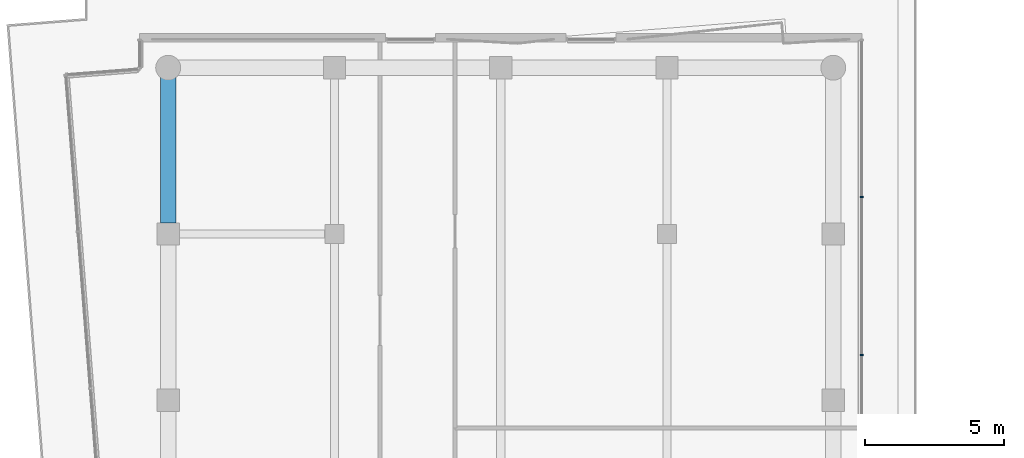
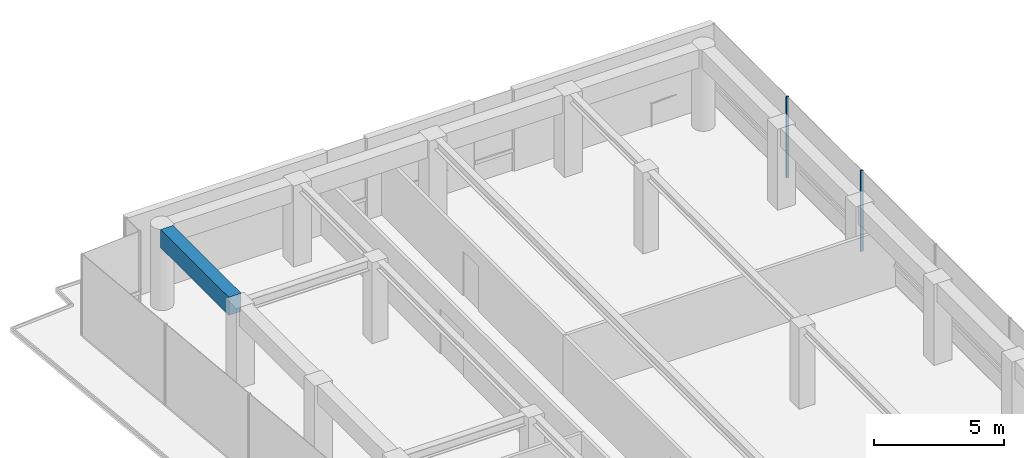
# One storey, part 16 of 23: 2 members, 1 beam, 1 element without a shape of its own.
"""IFC4 building model written with IfcOpenShell, lengths in metres."""

from ifc_helpers import new_model, si_unit, direction, frame, origin, origin_2d, place, context, subcontext, project, spatial, rectangle, extrude, material, layer, layer_set, material_profile, profile_set, type_object, element, aggregate, save


model = new_model("IFC4")

# Units and contexts
model_context = context("Model", 3, precision=1e-05, world=origin(), true_north=direction((0.0, 1.0)))
body_context = subcontext(model_context, "Body", "Model", "MODEL_VIEW")
ifc_project = project(units=[si_unit("LENGTHUNIT", "METRE"), si_unit("AREAUNIT", "SQUARE_METRE"), si_unit("VOLUMEUNIT", "CUBIC_METRE"), si_unit("PLANEANGLEUNIT", "RADIAN"), si_unit("MASSUNIT", "GRAM", prefix="KILO")], contexts=[model_context])

# Site, building, storey
site_placement = place(None, origin())
site = spatial("IfcSite", under=ifc_project, at=site_placement, CompositionType="ELEMENT")
building_placement = place(site_placement, origin())
building = spatial("IfcBuilding", under=site, at=building_placement, Name="Welwitschia Terrace Campus", CompositionType="ELEMENT")
storey_placement = place(building_placement, frame((0.0, 0.0, 209.60009765625)))
storey = spatial("IfcBuildingStorey", under=building, at=storey_placement, Name="L46", CompositionType="ELEMENT", Elevation=209.60009765625)

# Curtain wall, members
ifc_material_1 = material(Name="Bronze anodised aluminium", Category="aluminium")
ifc_layer = layer(ifc_material_1, 0.1201171875)
ifc_layer_set = layer_set([ifc_layer], Name="Bronze anodised aluminium")
curtain_wall_type = type_object("IfcCurtainWallType", Name="Curtain wall CW2 tower 6000", PredefinedType="NOTDEFINED", material=ifc_layer_set)
curtain_wall_placement = place(storey_placement, origin())
curtain_wall = element("IfcCurtainWall", 1, at=curtain_wall_placement, inside=storey, type_object=curtain_wall_type, Name="CW L46.7.0", PredefinedType="NOTDEFINED")
ifc_material_2 = material(Name="Bronze anodised aluminium", Category="aluminium")
ifc_material_profile_1 = material_profile(ifc_material_2, rectangle(XDim=0.1201171875, YDim=0.06005859375, at=origin_2d()))
ifc_profile_set_1 = profile_set([ifc_material_profile_1], Name="Bronze anodised aluminium")
member_type = type_object("IfcMemberType", Name="Mullion 60x120", PredefinedType="MULLION", material=ifc_profile_set_1)
member_1_placement = place(storey_placement, frame((25.030029296875, 59.62744140625, 0.0), z_axis=(0.0, 0.0, 1.0), x_axis=(-1.0, 0.0, 0.0)))
member_1 = element("IfcMember", 2, at=member_1_placement, type_object=member_type, Name="Mullion L46.7.0.4", PredefinedType="MULLION", context=body_context, shape_type="SweptSolid", body=[
    extrude(rectangle(XDim=0.1201171875, YDim=0.06005859375, at=origin_2d()), origin(), (0.0, 0.0, 1.0), 3.7998046875),
])
member_2_placement = place(storey_placement, frame((25.030029296875, 65.328857421875, 0.0), z_axis=(0.0, 0.0, 1.0), x_axis=(-1.0, 0.0, 0.0)))
member_2 = element("IfcMember", 3, at=member_2_placement, type_object=member_type, Name="Mullion L46.7.0.5", PredefinedType="MULLION", context=body_context, shape_type="SweptSolid", body=[
    extrude(rectangle(XDim=0.1201171875, YDim=0.06005859375, at=origin_2d()), origin(), (0.0, 0.0, 1.0), 3.7998046875),
])
aggregate(curtain_wall, [member_1, member_2])

# Beam
ifc_material_3 = material(Name="Concrete C50/60", Category="concrete")
ifc_material_profile_2 = material_profile(ifc_material_3, rectangle(XDim=0.550048828125, YDim=0.85009765625, at=origin_2d()))
ifc_profile_set_2 = profile_set([ifc_material_profile_2], Name="Concrete C50/60")
beam_type = type_object("IfcBeamType", Name="Ring spandrel 550x850", PredefinedType="SPANDREL", material=ifc_profile_set_2)
beam_placement = place(storey_placement, frame((0.0, 69.64306640625, 3.375), z_axis=(0.0, -1.0, 0.0), x_axis=(1.0, 0.0, 0.0)))
element("IfcBeam", 4, at=beam_placement, inside=storey, type_object=beam_type, Name="Spandrel SP3", PredefinedType="SPANDREL", context=body_context, shape_type="SweptSolid", body=[
    extrude(rectangle(XDim=0.550048828125, YDim=0.85009765625, at=origin_2d()), origin(), (0.0, 0.0, 1.0), 5.24267578125),
])

save(model, "model.ifc")
